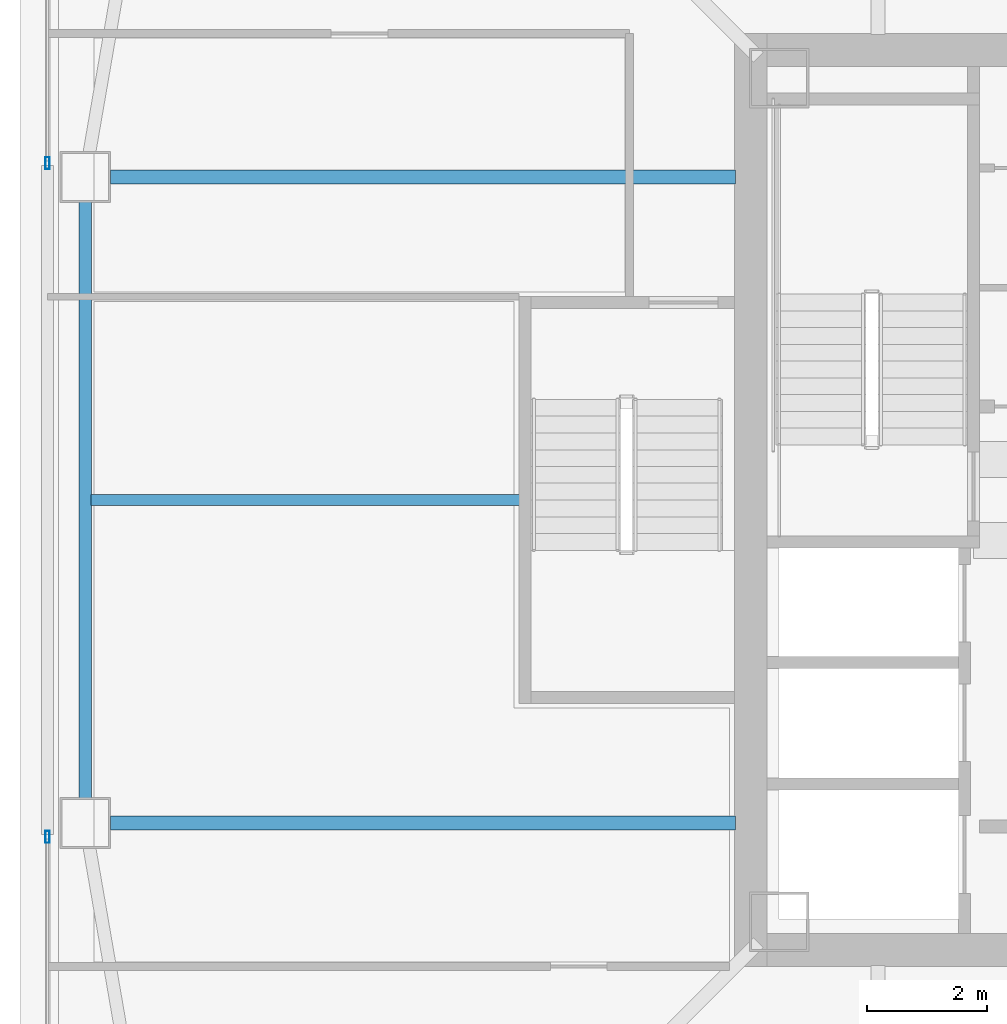
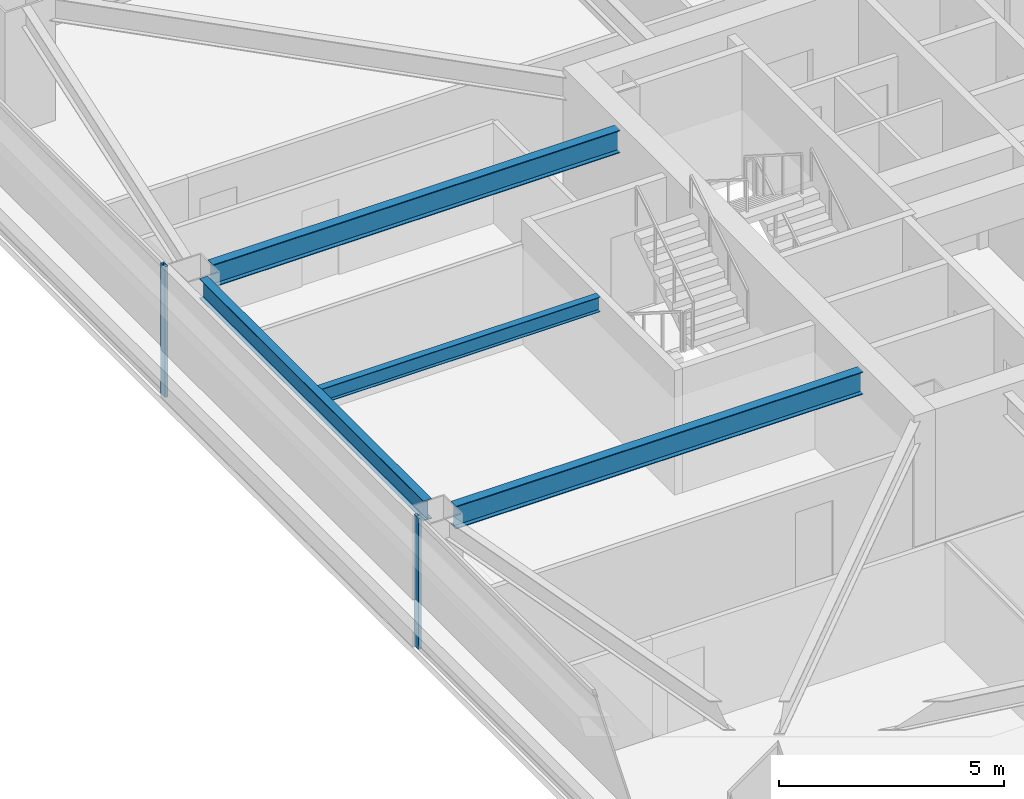
# One storey, part 7 of 41: 4 beams, 2 members, 2 elements without a shape of their own.
"""IFC4 building model written with IfcOpenShell, lengths in metres."""

import ifcopenshell
import ifcopenshell.guid

model = None  # the IFC model being written
_history = None  # IfcOwnerHistory: only IFC2X3 demands one
_inside = {}  # id of a spatial element -> (the spatial element, [elements in it])
_under = {}  # id of a project, library or spatial element -> (it, [spatial elements below it])
_declared = {}  # id of a project -> (the project, [libraries it declares])
_typed = {}  # id of a type object -> (the type object, [elements of that type])
_made_of = {}  # id of a material, layer set ... -> (it, [elements and type objects made of it])


def new_model(schema):
    """Start an empty IFC model of exactly this schema.

    Asked for "IFC4X3", IfcOpenShell would pick the latest addendum, in which some entities
    have other attributes; the version numbers below select the first issue.
    IFC2X3 requires an IfcOwnerHistory on every rooted entity: one is made here for all.
    """
    global model, _history
    if schema == "IFC4X3":
        model = ifcopenshell.file(schema_version=(4, 3, 0, 0))
    else:
        model = ifcopenshell.file(schema=schema)
    _inside.clear()
    _under.clear()
    _declared.clear()
    _typed.clear()
    _made_of.clear()
    _history = None
    if model.schema == "IFC2X3":
        org = make("IfcOrganization", Name="unknown")
        user = make(
            "IfcPersonAndOrganization",
            ThePerson=make("IfcPerson", FamilyName="unknown"),
            TheOrganization=org,
        )
        app = make(
            "IfcApplication",
            ApplicationDeveloper=org,
            Version="unknown",
            ApplicationFullName="unknown",
            ApplicationIdentifier="unknown",
        )
        _history = make(
            "IfcOwnerHistory",
            OwningUser=user,
            OwningApplication=app,
            ChangeAction="ADDED",
            CreationDate=0,
        )
    return model


def make(cls, **values):
    """One entity of the class cls with the attributes given. An attribute that is None is left unset."""
    return model.create_entity(
        cls, **{name: value for name, value in values.items() if value is not None}
    )


def rooted(cls, **values):
    """An entity with a GlobalId (a new one), such as an element, a storey or a relation."""
    return make(cls, GlobalId=ifcopenshell.guid.new(), OwnerHistory=_history, **values)


def si_unit(unit_type, name, prefix=None):
    """IfcSIUnit, for example si_unit("LENGTHUNIT", "METRE", prefix="MILLI")."""
    return make("IfcSIUnit", UnitType=unit_type, Prefix=prefix, Name=name)


def assignment(units):
    """IfcUnitAssignment: the units of a project."""
    return None if units is None else make("IfcUnitAssignment", Units=units)


def point(xyz):
    """IfcCartesianPoint."""
    return None if xyz is None else make("IfcCartesianPoint", Coordinates=xyz)


def direction(xyz):
    """IfcDirection."""
    return None if xyz is None else make("IfcDirection", DirectionRatios=xyz)


def frame(location, z_axis=None, x_axis=None):
    """IfcAxis2Placement3D, a coordinate frame: its origin and axes. An axis left out is left unset."""
    return make(
        "IfcAxis2Placement3D",
        Location=point(location),
        Axis=direction(z_axis),
        RefDirection=direction(x_axis),
    )


def frame_2d(location, x_axis=None):
    """IfcAxis2Placement2D, a coordinate frame in the plane: its origin and x axis."""
    return make(
        "IfcAxis2Placement2D", Location=point(location), RefDirection=direction(x_axis)
    )


def origin():
    """The frame at (0, 0, 0) with its axes left unset."""
    return frame((0.0, 0.0, 0.0))


def origin_2d():
    """The frame at (0, 0) in the plane with its x axis left unset."""
    return frame_2d((0.0, 0.0))


def place(relative_to, where):
    """IfcLocalPlacement: puts the frame where relative to a parent placement (None: the world)."""
    return make(
        "IfcLocalPlacement", PlacementRelTo=relative_to, RelativePlacement=where
    )


def context(
    kind, dimensions, precision=None, world=None, true_north=None, identifier=None
):
    """IfcGeometricRepresentationContext, for example the 3D "Model" context."""
    return make(
        "IfcGeometricRepresentationContext",
        ContextIdentifier=identifier,
        ContextType=kind,
        CoordinateSpaceDimension=dimensions,
        Precision=precision,
        WorldCoordinateSystem=world,
        TrueNorth=true_north,
    )


def subcontext(parent, identifier, kind, view, scale=None):
    """IfcGeometricRepresentationSubContext, for example "Body" below "Model"."""
    return make(
        "IfcGeometricRepresentationSubContext",
        ContextIdentifier=identifier,
        ContextType=kind,
        ParentContext=parent,
        TargetScale=scale,
        TargetView=view,
    )


def project(units=None, contexts=None):
    """IfcProject with its units and contexts."""
    return rooted(
        "IfcProject",
        Name="project",
        RepresentationContexts=contexts,
        UnitsInContext=assignment(units),
    )


def spatial(cls, under=None, at=None, **own):
    """A site, building, storey or space (cls), placed at a placement, below another one or the project."""
    s = rooted(cls, ObjectPlacement=at, **own)
    if under is not None:
        _under.setdefault(under.id(), (under, []))[1].append(s)
    return s


def profile(cls, at=None, kind="AREA", **sizes):
    """A parametric profile (cls). Its sizes go by their IFC names, for example OverallWidth=200.0."""
    return make(cls, ProfileType=kind, Position=at, **sizes)


def hollow_rectangle(**sizes):
    """IfcRectangleHollowProfileDef."""
    return profile("IfcRectangleHollowProfileDef", **sizes)


def i_section(**sizes):
    """IfcIShapeProfileDef."""
    return profile("IfcIShapeProfileDef", **sizes)


def extrude(swept, where, along, depth):
    """IfcExtrudedAreaSolid: the profile swept, set in the frame where, extruded along a direction by depth."""
    return make(
        "IfcExtrudedAreaSolid",
        SweptArea=swept,
        Position=where,
        ExtrudedDirection=direction(along),
        Depth=depth,
    )


def shape(context_of_items, identifier, shape_type, items):
    """IfcShapeRepresentation: the items that make up one representation, for example the "Body"."""
    return make(
        "IfcShapeRepresentation",
        ContextOfItems=context_of_items,
        RepresentationIdentifier=identifier,
        RepresentationType=shape_type,
        Items=items,
    )


def material(Name=None, Category=None):
    """IfcMaterial."""
    return make("IfcMaterial", Name=Name, Category=Category)


def material_profile(
    of_material, cross_section, Name=None, Category=None, Priority=None
):
    """IfcMaterialProfile: a cross section and its material."""
    return make(
        "IfcMaterialProfile",
        Name=Name,
        Material=of_material,
        Profile=cross_section,
        Priority=Priority,
        Category=Category,
    )


def profile_set(profiles, Name=None, composite=None):
    """IfcMaterialProfileSet."""
    return make(
        "IfcMaterialProfileSet",
        Name=Name,
        MaterialProfiles=profiles,
        CompositeProfile=composite,
    )


def made_of(thing, what):
    """Note that an element or type object is made of a material, layer set ...; save() writes the relation."""
    if what is not None:
        _made_of.setdefault(what.id(), (what, []))[1].append(thing)
    return thing


def type_object(cls, material=None, **own):
    """A type object (cls), such as IfcWallType, which elements share."""
    return made_of(rooted(cls, **own), material)


def element(
    cls,
    number,
    at=None,
    inside=None,
    cuts=None,
    type_object=None,
    material=None,
    context=None,
    identifier="Body",
    shape_type=None,
    held_by="IfcProductDefinitionShape",
    body=None,
    shapes=None,
    **own,
):
    """One element of the class cls, such as IfcWall. Its Tag is "e" and its number.

    at: its placement. inside: the storey or other place that contains it. cuts: it is an
    opening in that element (IfcRelVoidsElement). A single representation is given by context,
    identifier, shape_type and body (its items); several are given by shapes. held_by: the class
    of the entity that holds the representations. save() writes the other relations.
    """
    e = rooted(cls, Tag="e%d" % number, ObjectPlacement=at, **own)
    if body is not None:
        shapes = [shape(context, identifier, shape_type, body)]
    if shapes is not None:
        e.Representation = make(held_by, Representations=shapes)
    if inside is not None:
        _inside.setdefault(inside.id(), (inside, []))[1].append(e)
    if cuts is not None:
        rooted(
            "IfcRelVoidsElement", RelatingBuildingElement=cuts, RelatedOpeningElement=e
        )
    if type_object is not None:
        _typed.setdefault(type_object.id(), (type_object, []))[1].append(e)
    return made_of(e, material)


def aggregate(whole, parts):
    """IfcRelAggregates: a whole, such as a stair, and the parts it consists of."""
    return rooted("IfcRelAggregates", RelatingObject=whole, RelatedObjects=parts)


def save(model, path):
    """Write the relations noted so far, then the file.

    IfcRelAggregates (storeys below a building ...), IfcRelContainedInSpatialStructure (elements
    in a storey), IfcRelDefinesByType, IfcRelAssociatesMaterial and IfcRelDeclares: one each for
    every whole, place, type object, material and project.
    """
    for whole, parts in _under.values():
        aggregate(whole, parts)
    for where, things in _inside.values():
        rooted(
            "IfcRelContainedInSpatialStructure",
            RelatedElements=things,
            RelatingStructure=where,
        )
    for kind, things in _typed.values():
        rooted("IfcRelDefinesByType", RelatedObjects=things, RelatingType=kind)
    for what, things in _made_of.values():
        rooted("IfcRelAssociatesMaterial", RelatedObjects=things, RelatingMaterial=what)
    for by, libraries in _declared.values():
        rooted("IfcRelDeclares", RelatingContext=by, RelatedDefinitions=libraries)
    model.write(path)


model = new_model("IFC4")

# Units and contexts
model_context = context("Model", 3, precision=1e-05, world=origin(), true_north=direction((0.0, 1.0)))
body_context = subcontext(model_context, "Body", "Model", "MODEL_VIEW")
ifc_project = project(units=[si_unit("LENGTHUNIT", "METRE"), si_unit("AREAUNIT", "SQUARE_METRE"), si_unit("VOLUMEUNIT", "CUBIC_METRE"), si_unit("PLANEANGLEUNIT", "RADIAN"), si_unit("MASSUNIT", "GRAM", prefix="KILO")], contexts=[model_context])

# Site, building, storey
site_placement = place(None, origin())
site = spatial("IfcSite", under=ifc_project, at=site_placement, CompositionType="ELEMENT")
building_placement = place(site_placement, origin())
building = spatial("IfcBuilding", under=site, at=building_placement, Name="Tashvorn Skyway Center", CompositionType="ELEMENT")
storey_placement = place(building_placement, frame((0.0, 0.0, 117.949951171875)))
storey = spatial("IfcBuildingStorey", under=building, at=storey_placement, Name="L31", CompositionType="ELEMENT", Elevation=117.949951171875)

# Beams
ifc_material_1 = material(Name="Steel ASTM A992 Grade 50", Category="steel")
ifc_material_profile_1 = material_profile(ifc_material_1, i_section(OverallWidth=0.22998046875, OverallDepth=0.616943359375, WebThickness=0.01318359375, FlangeThickness=0.022216796875, at=origin_2d()), Name="W24X94")
ifc_profile_set_1 = profile_set([ifc_material_profile_1], Name="Steel ASTM A992 Grade 50")
beam_type_1 = type_object("IfcBeamType", Name="BM-BEAM-W24X94", PredefinedType="BEAM", material=ifc_profile_set_1)
for number, where, z_axis, x_axis, name in (
    (1, (23.77001953125, 37.39990234375, 3.0615234375), (1.0, 0.0, 0.0), (0.0, 1.0, 0.0), "Tower 1 L31 Primary Floor Girder FC-W1"),
    (2, (23.77001953125, 26.60009765625, 3.0615234375), (1.0, 0.0, 0.0), (0.0, 1.0, 0.0), "Tower 1 L31 Primary Floor Girder FC-W2"),
):
    element("IfcBeam", number, at=place(storey_placement, frame(where, z_axis=z_axis, x_axis=x_axis)), inside=storey, type_object=beam_type_1, Name=name, PredefinedType="BEAM", context=body_context, shape_type="SweptSolid", body=[
        extrude(i_section(OverallWidth=0.22998046875, OverallDepth=0.616943359375, WebThickness=0.01318359375, FlangeThickness=0.022216796875, at=origin_2d()), origin(), (0.0, 0.0, 1.0), 10.449951171875),
    ])
ifc_material_profile_2 = material_profile(ifc_material_1, i_section(OverallWidth=0.177978515625, OverallDepth=0.406005859375, WebThickness=0.0078125, FlangeThickness=0.0126953125, at=origin_2d()), Name="W16X40")
ifc_profile_set_2 = profile_set([ifc_material_profile_2], Name="Steel ASTM A992 Grade 50")
beam_type_2 = type_object("IfcBeamType", Name="BM-JOIST-W16X40", PredefinedType="JOIST", material=ifc_profile_set_2)
beam_1_placement = place(storey_placement, frame((30.610107421875, 32.0, 3.1669921875), z_axis=(-1.0, 0.0, 0.0), x_axis=(0.0, -1.0, 0.0)))
element("IfcBeam", 3, at=beam_1_placement, inside=storey, type_object=beam_type_2, Name="Tower 1 L31 Secondary Composite Joist JW", PredefinedType="JOIST", context=body_context, shape_type="SweptSolid", body=[
    extrude(i_section(OverallWidth=0.177978515625, OverallDepth=0.406005859375, WebThickness=0.0078125, FlangeThickness=0.0126953125, at=origin_2d()), origin(), (0.0, 0.0, 1.0), 7.16259765625),
])
ifc_material_profile_3 = material_profile(ifc_material_1, i_section(OverallWidth=0.2109375, OverallDepth=0.5390625, WebThickness=0.01171875, FlangeThickness=0.018798828125, at=origin_2d()), Name="W21X73")
ifc_profile_set_3 = profile_set([ifc_material_profile_3], Name="Steel ASTM A992 Grade 50")
beam_type_3 = type_object("IfcBeamType", Name="BM-SPANDREL-W21X73", PredefinedType="SPANDREL", material=ifc_profile_set_3)
beam_2_placement = place(storey_placement, frame((23.35009765625, 36.97998046875, 3.1005859375), z_axis=(0.0, -1.0, 0.0), x_axis=(1.0, 0.0, 0.0)))
element("IfcBeam", 4, at=beam_2_placement, inside=storey, type_object=beam_type_3, Name="Tower 1 L31 Spandrel Beam 11", PredefinedType="SPANDREL", context=body_context, shape_type="SweptSolid", body=[
    extrude(i_section(OverallWidth=0.2109375, OverallDepth=0.5390625, WebThickness=0.01171875, FlangeThickness=0.018798828125, at=origin_2d()), origin(), (0.0, 0.0, 1.0), 9.9599609375),
])

# Curtain wall, member
ifc_material_2 = material(Name="Thermally broken bronze-anodized aluminium 6063-T6", Category="aluminium")
curtain_wall_type = type_object("IfcCurtainWallType", Name="CW-CW-Z3", PredefinedType="NOTDEFINED", material=ifc_material_2)
curtain_wall_1_placement = place(storey_placement, origin())
curtain_wall_1 = element("IfcCurtainWall", 5, at=curtain_wall_1_placement, inside=storey, type_object=curtain_wall_type, Name="Tower 1 L31 West Unitised Curtain Wall Glazing Group 1", PredefinedType="NOTDEFINED")
ifc_material_profile_4 = material_profile(ifc_material_2, hollow_rectangle(XDim=0.074951171875, YDim=0.199951171875, WallThickness=0.00439453125, at=origin_2d()), Name="ALU-MULL-75x200")
ifc_profile_set_4 = profile_set([ifc_material_profile_4], Name="Thermally broken bronze-anodized aluminium 6063-T6")
member_type = type_object("IfcMemberType", Name="CWM-CW-Z3", PredefinedType="MULLION", material=ifc_profile_set_4)
member_1_placement = place(storey_placement, frame((22.719970703125, 26.369140625, 0.0), z_axis=(0.0, 0.0, 1.0), x_axis=(-1.0, 0.0, 0.0)))
member_1 = element("IfcMember", 6, at=member_1_placement, type_object=member_type, Name="CW-Z3 mullion 2", PredefinedType="MULLION", context=body_context, shape_type="SweptSolid", body=[
    extrude(hollow_rectangle(XDim=0.074951171875, YDim=0.199951171875, WallThickness=0.00439453125, at=origin_2d()), origin(), (0.0, 0.0, 1.0), 3.550048828125),
])
aggregate(curtain_wall_1, [member_1])

curtain_wall_2_placement = place(storey_placement, origin())
curtain_wall_2 = element("IfcCurtainWall", 7, at=curtain_wall_2_placement, inside=storey, type_object=curtain_wall_type, Name="Tower 1 L31 West Unitised Curtain Wall Glazing Group 2", PredefinedType="NOTDEFINED")
member_2_placement = place(storey_placement, frame((22.719970703125, 37.630859375, 0.0), z_axis=(0.0, 0.0, 1.0), x_axis=(-1.0, 0.0, 0.0)))
member_2 = element("IfcMember", 8, at=member_2_placement, type_object=member_type, Name="CW-Z3 mullion 1", PredefinedType="MULLION", context=body_context, shape_type="SweptSolid", body=[
    extrude(hollow_rectangle(XDim=0.074951171875, YDim=0.199951171875, WallThickness=0.00439453125, at=origin_2d()), origin(), (0.0, 0.0, 1.0), 3.550048828125),
])
aggregate(curtain_wall_2, [member_2])

save(model, "model.ifc")
